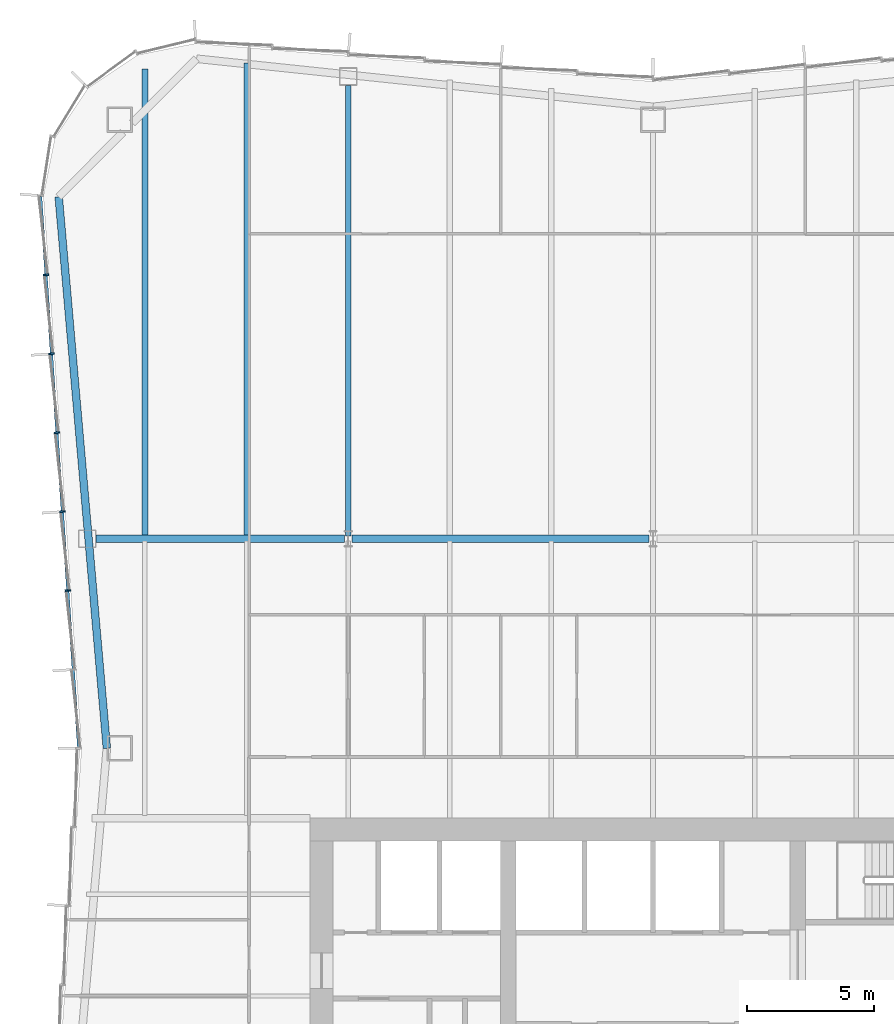
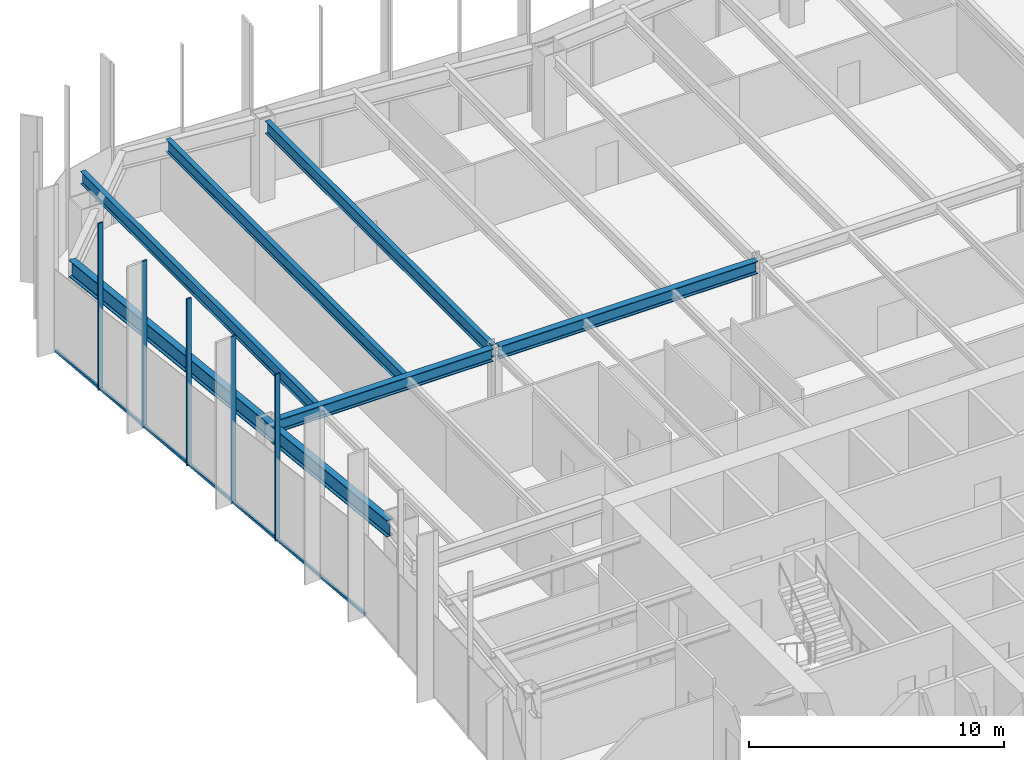
# One storey, part 5 of 13: 6 beams, 6 members, 1 element without a shape of its own.
"""IFC4 building model written with IfcOpenShell, lengths in metres."""

from ifc_helpers import new_model, si_unit, direction, frame, origin, origin_2d, place, context, subcontext, project, spatial, rectangle, i_section, extrude, material, material_profile, profile_set, type_object, element, aggregate, save


model = new_model("IFC4")

# Units and contexts
model_context = context("Model", 3, precision=1e-05, world=origin(), true_north=direction((0.0, 1.0)))
body_context = subcontext(model_context, "Body", "Model", "MODEL_VIEW")
ifc_project = project(units=[si_unit("LENGTHUNIT", "METRE"), si_unit("AREAUNIT", "SQUARE_METRE"), si_unit("VOLUMEUNIT", "CUBIC_METRE"), si_unit("PLANEANGLEUNIT", "RADIAN"), si_unit("MASSUNIT", "GRAM", prefix="KILO")], contexts=[model_context])

# Site, building, storey
site_placement = place(None, origin())
site = spatial("IfcSite", under=ifc_project, at=site_placement, CompositionType="ELEMENT")
building_placement = place(site_placement, origin())
building = spatial("IfcBuilding", under=site, at=building_placement, Name="Verdant Reach Tower", CompositionType="ELEMENT")
storey_placement = place(building_placement, frame((0.0, 0.0, 218.0)))
storey = spatial("IfcBuildingStorey", under=building, at=storey_placement, Name="L50", CompositionType="ELEMENT", Elevation=218.0)

# Curtain wall, members
ifc_material_1 = material(Name="Anodised aluminium", Category="aluminium")
curtain_wall_type = type_object("IfcCurtainWallType", Name="EN-CW SYSTEM Z3", PredefinedType="NOTDEFINED", material=ifc_material_1)
curtain_wall_placement = place(storey_placement, origin())
curtain_wall = element("IfcCurtainWall", 1, at=curtain_wall_placement, inside=storey, type_object=curtain_wall_type, Name="Curtain wall west, L50", PredefinedType="NOTDEFINED")
ifc_material_profile_1 = material_profile(ifc_material_1, rectangle(XDim=0.218017578125, YDim=0.06591796875, at=origin_2d()), Name="Mullion 66x218")
ifc_profile_set_1 = profile_set([ifc_material_profile_1], Name="Anodised aluminium")
member_type_1 = type_object("IfcMemberType", Name="EN-MULLION Z3", PredefinedType="MULLION", material=ifc_profile_set_1)
member_1_placement = place(storey_placement, frame((-23.89453125, 59.88525390625, -0.35009765625), z_axis=(0.0, 0.0, 1.0), x_axis=(-0.997630328423, -0.068802091615, 0.0)))
member_1 = element("IfcMember", 2, at=member_1_placement, type_object=member_type_1, Name="Mullion west face part 1 2, L50", PredefinedType="MULLION", context=body_context, shape_type="SweptSolid", body=[
    extrude(rectangle(XDim=0.218017578125, YDim=0.06591796875, at=origin_2d()), origin(), (0.0, 0.0, 1.0), 8.0),
])
member_2_placement = place(storey_placement, frame((-23.68017578125, 56.7783203125, -0.35009765625), z_axis=(0.0, 0.0, 1.0), x_axis=(-0.997630328423, -0.068802091615, 0.0)))
member_2 = element("IfcMember", 3, at=member_2_placement, type_object=member_type_1, Name="Mullion west face part 1 3, L50", PredefinedType="MULLION", context=body_context, shape_type="SweptSolid", body=[
    extrude(rectangle(XDim=0.218017578125, YDim=0.06591796875, at=origin_2d()), origin(), (0.0, 0.0, 1.0), 8.0),
])
member_3_placement = place(storey_placement, frame((-23.4658203125, 53.671142578125, -0.35009765625), z_axis=(0.0, 0.0, 1.0), x_axis=(-0.997630328423, -0.068802091615, 0.0)))
member_3 = element("IfcMember", 4, at=member_3_placement, type_object=member_type_1, Name="Mullion west face part 1 4, L50", PredefinedType="MULLION", context=body_context, shape_type="SweptSolid", body=[
    extrude(rectangle(XDim=0.218017578125, YDim=0.06591796875, at=origin_2d()), origin(), (0.0, 0.0, 1.0), 8.0),
])
member_4_placement = place(storey_placement, frame((-23.251708984375, 50.56396484375, -0.35009765625), z_axis=(0.0, 0.0, 1.0), x_axis=(-0.997630328423, -0.068802091615, 0.0)))
member_4 = element("IfcMember", 5, at=member_4_placement, type_object=member_type_1, Name="Mullion west face part 1 5, L50", PredefinedType="MULLION", context=body_context, shape_type="SweptSolid", body=[
    extrude(rectangle(XDim=0.218017578125, YDim=0.06591796875, at=origin_2d()), origin(), (0.0, 0.0, 1.0), 8.0),
])
member_5_placement = place(storey_placement, frame((-23.037353515625, 47.456787109375, -0.35009765625), z_axis=(0.0, 0.0, 1.0), x_axis=(-0.997630328423, -0.068802091615, 0.0)))
member_5 = element("IfcMember", 6, at=member_5_placement, type_object=member_type_1, Name="Mullion west face part 1 6, L50", PredefinedType="MULLION", context=body_context, shape_type="SweptSolid", body=[
    extrude(rectangle(XDim=0.218017578125, YDim=0.06591796875, at=origin_2d()), origin(), (0.0, 0.0, 1.0), 8.0),
])
ifc_material_profile_2 = material_profile(ifc_material_1, rectangle(XDim=0.10009765625, YDim=0.1259765625, at=origin_2d()), Name="Transom 126x100")
ifc_profile_set_2 = profile_set([ifc_material_profile_2], Name="Anodised aluminium")
member_type_2 = type_object("IfcMemberType", Name="EN-TRANSOM Z3", PredefinedType="USERDEFINED", material=ifc_profile_set_2)
member_6_placement = place(storey_placement, frame((-24.1064453125, 62.97412109375, -0.287109375), z_axis=(0.068764326054, -0.997632932226, 0.0), x_axis=(0.997632932226, 0.068764326054, 0.0)))
member_6 = element("IfcMember", 7, at=member_6_placement, type_object=member_type_2, Name="Transom west face part 1 1.1, L50", ObjectType="TRANSOM", PredefinedType="USERDEFINED", context=body_context, shape_type="SweptSolid", body=[
    extrude(rectangle(XDim=0.10009765625, YDim=0.1259765625, at=origin_2d()), origin(), (0.0, 0.0, 1.0), 21.74267578125),
])
aggregate(curtain_wall, [member_1, member_2, member_3, member_4, member_5, member_6])

# Beams
ifc_material_2 = material(Name="Steel S355", Category="steel")
ifc_material_profile_3 = material_profile(ifc_material_2, i_section(OverallWidth=0.300048828125, OverallDepth=0.60009765625, WebThickness=0.015380859375, FlangeThickness=0.030029296875, FilletRadius=0.027099609375, at=origin_2d()), Name="HEB 600")
ifc_profile_set_3 = profile_set([ifc_material_profile_3], Name="Steel S355")
beam_type_1 = type_object("IfcBeamType", Name="ST-BEAM-HEB600", PredefinedType="BEAM", material=ifc_profile_set_3)
beam_1_placement = place(storey_placement, frame((-21.9189453125, 49.5, 3.570068359375), z_axis=(1.0, 0.0, 0.0), x_axis=(0.0, 1.0, 0.0)))
element("IfcBeam", 8, at=beam_1_placement, inside=storey, type_object=beam_type_1, Name="Row girder, L50", PredefinedType="BEAM", context=body_context, shape_type="SweptSolid", body=[
    extrude(i_section(OverallWidth=0.300048828125, OverallDepth=0.60009765625, WebThickness=0.015380859375, FlangeThickness=0.030029296875, FilletRadius=0.027099609375, at=origin_2d()), origin(), (0.0, 0.0, 1.0), 9.766357421875),
])
beam_2_placement = place(storey_placement, frame((-11.847412109375, 49.5, 3.570068359375), z_axis=(1.0, 0.0, 0.0), x_axis=(0.0, 1.0, 0.0)))
element("IfcBeam", 9, at=beam_2_placement, inside=storey, type_object=beam_type_1, Name="Row girder, L50", PredefinedType="BEAM", context=body_context, shape_type="SweptSolid", body=[
    extrude(i_section(OverallWidth=0.300048828125, OverallDepth=0.60009765625, WebThickness=0.015380859375, FlangeThickness=0.030029296875, FilletRadius=0.027099609375, at=origin_2d()), origin(), (0.0, 0.0, 1.0), 11.69482421875),
])
ifc_material_profile_4 = material_profile(ifc_material_2, i_section(OverallWidth=0.219970703125, OverallDepth=0.60009765625, WebThickness=0.011962890625, FlangeThickness=0.01904296875, FilletRadius=0.02392578125, at=origin_2d()), Name="IPE 600")
ifc_profile_set_4 = profile_set([ifc_material_profile_4], Name="Steel S355")
beam_type_2 = type_object("IfcBeamType", Name="ST-JOIST-IPE600", PredefinedType="JOIST", material=ifc_profile_set_4)
beam_3_placement = place(storey_placement, frame((-20.0, 49.60009765625, 3.570068359375), z_axis=(0.0, 1.0, 0.0), x_axis=(-1.0, 0.0, 0.0)))
element("IfcBeam", 10, at=beam_3_placement, inside=storey, type_object=beam_type_2, Name="Floor joist, L50", PredefinedType="JOIST", context=body_context, shape_type="SweptSolid", body=[
    extrude(i_section(OverallWidth=0.219970703125, OverallDepth=0.60009765625, WebThickness=0.011962890625, FlangeThickness=0.01904296875, FilletRadius=0.02392578125, at=origin_2d()), origin(), (0.0, 0.0, 1.0), 18.390380859375),
])
beam_4_placement = place(storey_placement, frame((-16.0, 49.60009765625, 3.570068359375), z_axis=(0.0, 1.0, 0.0), x_axis=(-1.0, 0.0, 0.0)))
element("IfcBeam", 11, at=beam_4_placement, inside=storey, type_object=beam_type_2, Name="Floor joist, L50", PredefinedType="JOIST", context=body_context, shape_type="SweptSolid", body=[
    extrude(i_section(OverallWidth=0.219970703125, OverallDepth=0.60009765625, WebThickness=0.011962890625, FlangeThickness=0.01904296875, FilletRadius=0.02392578125, at=origin_2d()), origin(), (0.0, 0.0, 1.0), 18.631103515625),
])
beam_5_placement = place(storey_placement, frame((-12.0, 49.60009765625, 3.570068359375), z_axis=(0.0, 1.0, 0.0), x_axis=(-1.0, 0.0, 0.0)))
element("IfcBeam", 12, at=beam_5_placement, inside=storey, type_object=beam_type_2, Name="Floor joist, L50", PredefinedType="JOIST", context=body_context, shape_type="SweptSolid", body=[
    extrude(i_section(OverallWidth=0.219970703125, OverallDepth=0.60009765625, WebThickness=0.011962890625, FlangeThickness=0.01904296875, FilletRadius=0.02392578125, at=origin_2d()), origin(), (0.0, 0.0, 1.0), 17.75),
])
ifc_material_profile_5 = material_profile(ifc_material_2, i_section(OverallWidth=0.300048828125, OverallDepth=0.800048828125, WebThickness=0.017578125, FlangeThickness=0.032958984375, FilletRadius=0.030029296875, at=origin_2d()), Name="HEB 800")
ifc_profile_set_5 = profile_set([ifc_material_profile_5], Name="Steel S355")
beam_type_3 = type_object("IfcBeamType", Name="ST-SPANDREL-HEB800", PredefinedType="SPANDREL", material=ifc_profile_set_5)
beam_6_placement = place(storey_placement, frame((-21.5, 41.25, 3.469970703125), z_axis=(-0.086996024331, 0.996208658741, 0.0), x_axis=(-0.996208658741, -0.086996024331, 0.0)))
element("IfcBeam", 13, at=beam_6_placement, inside=storey, type_object=beam_type_3, Name="Edge beam, L50", PredefinedType="SPANDREL", context=body_context, shape_type="SweptSolid", body=[
    extrude(i_section(OverallWidth=0.300048828125, OverallDepth=0.800048828125, WebThickness=0.017578125, FlangeThickness=0.032958984375, FilletRadius=0.030029296875, at=origin_2d()), origin(), (0.0, 0.0, 1.0), 21.7939453125),
])

save(model, "model.ifc")
